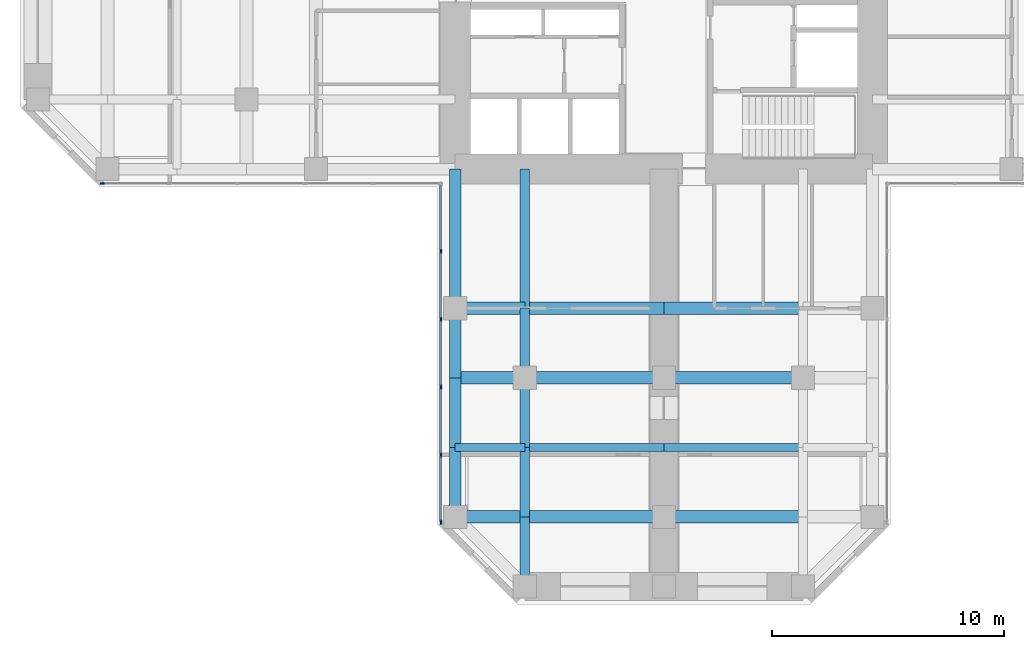
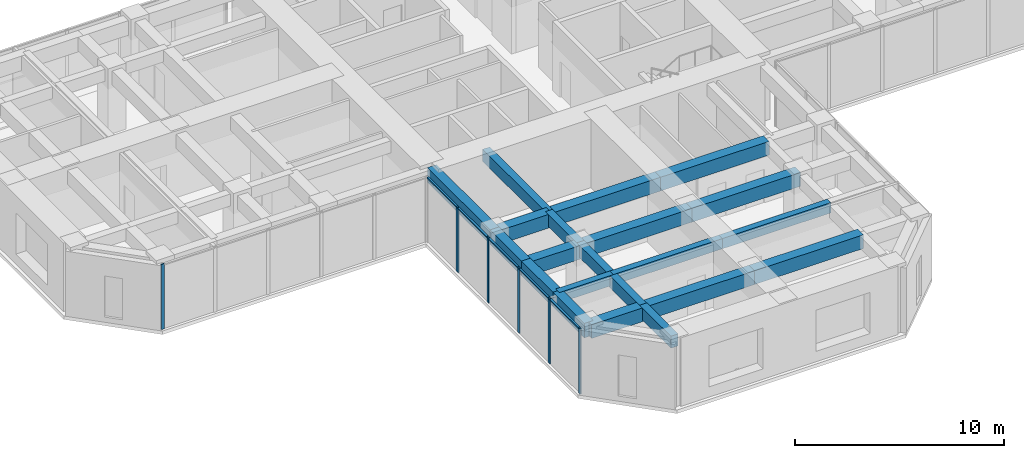
# One storey, part 2 of 13: 21 beams, 11 members, 2 elements without a shape of their own.
"""IFC4 building model written with IfcOpenShell, lengths in metres."""

from ifc_helpers import new_model, si_unit, direction, frame, origin, origin_2d, place, context, subcontext, project, spatial, rectangle, extrude, material, material_profile, profile_set, type_object, element, aggregate, save


model = new_model("IFC4")

# Units and contexts
model_context = context("Model", 3, precision=1e-05, world=origin(), true_north=direction((0.0, 1.0)))
body_context = subcontext(model_context, "Body", "Model", "MODEL_VIEW")
ifc_project = project(units=[si_unit("LENGTHUNIT", "METRE"), si_unit("AREAUNIT", "SQUARE_METRE"), si_unit("VOLUMEUNIT", "CUBIC_METRE"), si_unit("PLANEANGLEUNIT", "RADIAN"), si_unit("MASSUNIT", "GRAM", prefix="KILO")], contexts=[model_context])

# Site, building, storey
site_placement = place(None, origin())
site = spatial("IfcSite", under=ifc_project, at=site_placement, CompositionType="ELEMENT")
building_placement = place(site_placement, origin())
building = spatial("IfcBuilding", under=site, at=building_placement, Name="Torre Cruceta", CompositionType="ELEMENT")
storey_placement = place(building_placement, frame((0.0, 0.0, 128.5)))
storey = spatial("IfcBuildingStorey", under=building, at=storey_placement, Name="L31", CompositionType="ELEMENT", Elevation=128.5)

# Beams
ifc_material_1 = material(Name="Concrete G60 (fck 60 MPa)", Category="concrete")
ifc_material_profile_1 = material_profile(ifc_material_1, rectangle(XDim=0.39990234375, YDim=0.699951171875, at=origin_2d()), Name="RC 400X700")
ifc_profile_set_1 = profile_set([ifc_material_profile_1], Name="Concrete G60 (fck 60 MPa)")
beam_type_1 = type_object("IfcBeamType", Name="COLUMN LINE BEAM RC 400X700", PredefinedType="BEAM", material=ifc_profile_set_1)
beam_1_placement = place(storey_placement, frame((-6.0, -9.0, 3.449951171875), z_axis=(0.0, -1.0, 0.0), x_axis=(1.0, 0.0, 0.0)))
element("IfcBeam", 1, at=beam_1_placement, inside=storey, type_object=beam_type_1, Name="LB5 L31 S col- 1", PredefinedType="BEAM", context=body_context, shape_type="SweptSolid", body=[
    extrude(rectangle(XDim=0.39990234375, YDim=0.699951171875, at=origin_2d()), origin(), (0.0, 0.0, 1.0), 6.0),
])
for number, where, z_axis, x_axis, name in (
    (2, (-6.0, -15.0, 3.449951171875), (0.0, -1.0, 0.0), (1.0, 0.0, 0.0), "LB5 L31 S col- 2"),
    (3, (-6.0, -18.0, 3.449951171875), (0.0, -1.0, 0.0), (1.0, 0.0, 0.0), "LB5 L31 S col- 3"),
    (4, (-6.0, -21.0, 3.449951171875), (0.0, -1.0, 0.0), (1.0, 0.0, 0.0), "LB5 L31 S col- 4"),
    (5, (-6.0, -24.0, 3.449951171875), (0.0, -1.0, 0.0), (1.0, 0.0, 0.0), "LB5 L31 S col- 5"),
):
    element("IfcBeam", number, at=place(storey_placement, frame(where, z_axis=z_axis, x_axis=x_axis)), inside=storey, type_object=beam_type_1, Name=name, PredefinedType="BEAM", context=body_context, shape_type="SweptSolid", body=[
        extrude(rectangle(XDim=0.39990234375, YDim=0.699951171875, at=origin_2d()), origin(), (0.0, 0.0, 1.0), 3.0),
    ])
ifc_material_2 = material(Name="Concrete G60 (fck 60 MPa)", Category="concrete")
ifc_material_profile_2 = material_profile(ifc_material_2, rectangle(XDim=0.550048828125, YDim=0.800048828125, at=origin_2d()), Name="RC 550X800")
ifc_profile_set_2 = profile_set([ifc_material_profile_2], Name="Concrete G60 (fck 60 MPa)")
beam_type_2 = type_object("IfcBeamType", Name="CROSS BEAM RC 550X800", PredefinedType="BEAM", material=ifc_profile_set_2)
beam_2_placement = place(storey_placement, frame((-9.0, -15.0, 3.39990234375), z_axis=(1.0, 0.0, 0.0), x_axis=(0.0, 1.0, 0.0)))
element("IfcBeam", 6, at=beam_2_placement, inside=storey, type_object=beam_type_2, Name="GB5 L31 S cross15 1", PredefinedType="BEAM", context=body_context, shape_type="SweptSolid", body=[
    extrude(rectangle(XDim=0.550048828125, YDim=0.800048828125, at=origin_2d()), origin(), (0.0, 0.0, 1.0), 3.0),
])
for number, where, z_axis, x_axis, name in (
    (7, (-6.0, -15.0, 3.39990234375), (1.0, 0.0, 0.0), (0.0, 1.0, 0.0), "GB5 L31 S cross15 2"),
    (8, (0.0, -15.0, 3.39990234375), (1.0, 0.0, 0.0), (0.0, 1.0, 0.0), "GB5 L31 S cross15 3"),
):
    element("IfcBeam", number, at=place(storey_placement, frame(where, z_axis=z_axis, x_axis=x_axis)), inside=storey, type_object=beam_type_2, Name=name, PredefinedType="BEAM", context=body_context, shape_type="SweptSolid", body=[
        extrude(rectangle(XDim=0.550048828125, YDim=0.800048828125, at=origin_2d()), origin(), (0.0, 0.0, 1.0), 6.0),
    ])
beam_3_placement = place(storey_placement, frame((-9.0, -18.0, 3.39990234375), z_axis=(1.0, 0.0, 0.0), x_axis=(0.0, 1.0, 0.0)))
element("IfcBeam", 9, at=beam_3_placement, inside=storey, type_object=beam_type_2, Name="GB5 L31 S cross18 1", PredefinedType="BEAM", context=body_context, shape_type="SweptSolid", body=[
    extrude(rectangle(XDim=0.550048828125, YDim=0.800048828125, at=origin_2d()), origin(), (0.0, 0.0, 1.0), 3.0),
])
for number, where, z_axis, x_axis, name in (
    (10, (-6.0, -18.0, 3.39990234375), (1.0, 0.0, 0.0), (0.0, 1.0, 0.0), "GB5 L31 S cross18 2"),
    (11, (0.0, -18.0, 3.39990234375), (1.0, 0.0, 0.0), (0.0, 1.0, 0.0), "GB5 L31 S cross18 3"),
):
    element("IfcBeam", number, at=place(storey_placement, frame(where, z_axis=z_axis, x_axis=x_axis)), inside=storey, type_object=beam_type_2, Name=name, PredefinedType="BEAM", context=body_context, shape_type="SweptSolid", body=[
        extrude(rectangle(XDim=0.550048828125, YDim=0.800048828125, at=origin_2d()), origin(), (0.0, 0.0, 1.0), 6.0),
    ])
beam_4_placement = place(storey_placement, frame((-9.0, -24.0, 3.39990234375), z_axis=(1.0, 0.0, 0.0), x_axis=(0.0, 1.0, 0.0)))
element("IfcBeam", 12, at=beam_4_placement, inside=storey, type_object=beam_type_2, Name="GB5 L31 S cross24 1", PredefinedType="BEAM", context=body_context, shape_type="SweptSolid", body=[
    extrude(rectangle(XDim=0.550048828125, YDim=0.800048828125, at=origin_2d()), origin(), (0.0, 0.0, 1.0), 3.0),
])
for number, where, z_axis, x_axis, name in (
    (13, (-6.0, -24.0, 3.39990234375), (1.0, 0.0, 0.0), (0.0, 1.0, 0.0), "GB5 L31 S cross24 2"),
    (14, (0.0, -24.0, 3.39990234375), (1.0, 0.0, 0.0), (0.0, 1.0, 0.0), "GB5 L31 S cross24 3"),
):
    element("IfcBeam", number, at=place(storey_placement, frame(where, z_axis=z_axis, x_axis=x_axis)), inside=storey, type_object=beam_type_2, Name=name, PredefinedType="BEAM", context=body_context, shape_type="SweptSolid", body=[
        extrude(rectangle(XDim=0.550048828125, YDim=0.800048828125, at=origin_2d()), origin(), (0.0, 0.0, 1.0), 6.0),
    ])

# Curtain wall, member
ifc_material_3 = material(Name="Aluminium unitised curtain wall", Category="aluminium")
curtain_wall_type = type_object("IfcCurtainWallType", Name="CURTAIN WALL CW-B OFFICE MID RISE", PredefinedType="USERDEFINED", material=ifc_material_3)
curtain_wall_1_placement = place(storey_placement, origin())
curtain_wall_1 = element("IfcCurtainWall", 15, at=curtain_wall_1_placement, inside=storey, type_object=curtain_wall_type, Name="CW-B L31 W side 14", ObjectType="UNITISED", PredefinedType="USERDEFINED")
ifc_material_4 = material(Name="Aluminium mullion", Category="aluminium")
ifc_material_profile_3 = material_profile(ifc_material_4, rectangle(XDim=0.06494140625, YDim=0.179931640625, at=origin_2d()), Name="AL 65X180")
ifc_profile_set_3 = profile_set([ifc_material_profile_3], Name="Aluminium mullion")
member_type_1 = type_object("IfcMemberType", Name="CW-B MULLION 65X180", PredefinedType="MULLION", material=ifc_profile_set_3)
member_1_placement = place(storey_placement, frame((-24.224365234375, -9.6201171875, 0.0), z_axis=(0.0, 0.0, 1.0), x_axis=(0.0, 1.0, 0.0)))
member_1 = element("IfcMember", 16, at=member_1_placement, type_object=member_type_1, Name="CW-B mullion 1", PredefinedType="MULLION", context=body_context, shape_type="SweptSolid", body=[
    extrude(rectangle(XDim=0.06494140625, YDim=0.179931640625, at=origin_2d()), origin(), (0.0, 0.0, 1.0), 3.800048828125),
])
aggregate(curtain_wall_1, [member_1])

# Curtain wall, members
curtain_wall_2_placement = place(storey_placement, origin())
curtain_wall_2 = element("IfcCurtainWall", 17, at=curtain_wall_2_placement, inside=storey, type_object=curtain_wall_type, Name="CW-B L31 S side 15", ObjectType="UNITISED", PredefinedType="USERDEFINED")
member_2_placement = place(storey_placement, frame((-9.6201171875, -12.54736328125, 0.0), z_axis=(0.0, 0.0, 1.0), x_axis=(1.0, 0.0, 0.0)))
member_2 = element("IfcMember", 18, at=member_2_placement, type_object=member_type_1, Name="CW-B mullion 2", PredefinedType="MULLION", context=body_context, shape_type="SweptSolid", body=[
    extrude(rectangle(XDim=0.06494140625, YDim=0.179931640625, at=origin_2d()), origin(), (0.0, 0.0, 1.0), 3.800048828125),
])
member_3_placement = place(storey_placement, frame((-9.6201171875, -15.474609375, 0.0), z_axis=(0.0, 0.0, 1.0), x_axis=(1.0, 0.0, 0.0)))
member_3 = element("IfcMember", 19, at=member_3_placement, type_object=member_type_1, Name="CW-B mullion 3", PredefinedType="MULLION", context=body_context, shape_type="SweptSolid", body=[
    extrude(rectangle(XDim=0.06494140625, YDim=0.179931640625, at=origin_2d()), origin(), (0.0, 0.0, 1.0), 3.800048828125),
])
member_4_placement = place(storey_placement, frame((-9.6201171875, -18.402099609375, 0.0), z_axis=(0.0, 0.0, 1.0), x_axis=(1.0, 0.0, 0.0)))
member_4 = element("IfcMember", 20, at=member_4_placement, type_object=member_type_1, Name="CW-B mullion 4", PredefinedType="MULLION", context=body_context, shape_type="SweptSolid", body=[
    extrude(rectangle(XDim=0.06494140625, YDim=0.179931640625, at=origin_2d()), origin(), (0.0, 0.0, 1.0), 3.800048828125),
])
member_5_placement = place(storey_placement, frame((-9.6201171875, -21.329345703125, 0.0), z_axis=(0.0, 0.0, 1.0), x_axis=(1.0, 0.0, 0.0)))
member_5 = element("IfcMember", 21, at=member_5_placement, type_object=member_type_1, Name="CW-B mullion 5", PredefinedType="MULLION", context=body_context, shape_type="SweptSolid", body=[
    extrude(rectangle(XDim=0.06494140625, YDim=0.179931640625, at=origin_2d()), origin(), (0.0, 0.0, 1.0), 3.800048828125),
])
member_6_placement = place(storey_placement, frame((-9.6201171875, -24.224365234375, 0.0), z_axis=(0.0, 0.0, 1.0), x_axis=(1.0, 0.0, 0.0)))
member_6 = element("IfcMember", 22, at=member_6_placement, type_object=member_type_1, Name="CW-B mullion 6", PredefinedType="MULLION", context=body_context, shape_type="SweptSolid", body=[
    extrude(rectangle(XDim=0.06494140625, YDim=0.179931640625, at=origin_2d()), origin(), (0.0, 0.0, 1.0), 3.800048828125),
])
ifc_material_5 = material(Name="Aluminium transom", Category="aluminium")
ifc_material_profile_4 = material_profile(ifc_material_5, rectangle(XDim=0.110107421875, YDim=0.06494140625, at=origin_2d()), Name="AL 110X65")
ifc_profile_set_4 = profile_set([ifc_material_profile_4], Name="Aluminium transom")
member_type_2 = type_object("IfcMemberType", Name="CW-B TRANSOM 65X110", PredefinedType="USERDEFINED", material=ifc_profile_set_4)
member_7_placement = place(storey_placement, frame((-9.6201171875, -9.68505859375, 3.767578125), z_axis=(0.0, -1.0, 0.0), x_axis=(1.0, 0.0, 0.0)))
member_7 = element("IfcMember", 23, at=member_7_placement, type_object=member_type_2, Name="CW-B transom 1", ObjectType="TRANSOM", PredefinedType="USERDEFINED", context=body_context, shape_type="SweptSolid", body=[
    extrude(rectangle(XDim=0.110107421875, YDim=0.06494140625, at=origin_2d()), origin(), (0.0, 0.0, 1.0), 2.829833984375),
])
member_8_placement = place(storey_placement, frame((-9.6201171875, -12.579833984375, 3.767578125), z_axis=(0.0, -1.0, 0.0), x_axis=(1.0, 0.0, 0.0)))
member_8 = element("IfcMember", 24, at=member_8_placement, type_object=member_type_2, Name="CW-B transom 2", ObjectType="TRANSOM", PredefinedType="USERDEFINED", context=body_context, shape_type="SweptSolid", body=[
    extrude(rectangle(XDim=0.110107421875, YDim=0.06494140625, at=origin_2d()), origin(), (0.0, 0.0, 1.0), 2.8623046875),
])
member_9_placement = place(storey_placement, frame((-9.6201171875, -15.50732421875, 3.767578125), z_axis=(0.0, -1.0, 0.0), x_axis=(1.0, 0.0, 0.0)))
member_9 = element("IfcMember", 25, at=member_9_placement, type_object=member_type_2, Name="CW-B transom 3", ObjectType="TRANSOM", PredefinedType="USERDEFINED", context=body_context, shape_type="SweptSolid", body=[
    extrude(rectangle(XDim=0.110107421875, YDim=0.06494140625, at=origin_2d()), origin(), (0.0, 0.0, 1.0), 2.8623046875),
])
member_10_placement = place(storey_placement, frame((-9.6201171875, -18.4345703125, 3.767578125), z_axis=(0.0, -1.0, 0.0), x_axis=(1.0, 0.0, 0.0)))
member_10 = element("IfcMember", 26, at=member_10_placement, type_object=member_type_2, Name="CW-B transom 4", ObjectType="TRANSOM", PredefinedType="USERDEFINED", context=body_context, shape_type="SweptSolid", body=[
    extrude(rectangle(XDim=0.110107421875, YDim=0.06494140625, at=origin_2d()), origin(), (0.0, 0.0, 1.0), 2.8623046875),
])
member_11_placement = place(storey_placement, frame((-9.6201171875, -21.362060546875, 3.767578125), z_axis=(0.0, -1.0, 0.0), x_axis=(1.0, 0.0, 0.0)))
member_11 = element("IfcMember", 27, at=member_11_placement, type_object=member_type_2, Name="CW-B transom 5", ObjectType="TRANSOM", PredefinedType="USERDEFINED", context=body_context, shape_type="SweptSolid", body=[
    extrude(rectangle(XDim=0.110107421875, YDim=0.06494140625, at=origin_2d()), origin(), (0.0, 0.0, 1.0), 2.829833984375),
])
aggregate(curtain_wall_2, [member_2, member_3, member_4, member_5, member_6, member_7, member_8, member_9, member_10, member_11])

# Beams
ifc_material_6 = material(Name="Concrete G60 (fck 60 MPa)", Category="concrete")
ifc_material_profile_5 = material_profile(ifc_material_6, rectangle(XDim=0.35009765625, YDim=0.60009765625, at=origin_2d()), Name="RC 350X600")
ifc_profile_set_5 = profile_set([ifc_material_profile_5], Name="Concrete G60 (fck 60 MPa)")
beam_type_3 = type_object("IfcBeamType", Name="SECONDARY BEAM RC 350X600", PredefinedType="JOIST", material=ifc_profile_set_5)
beam_5_placement = place(storey_placement, frame((-9.0, -21.0, 3.5), z_axis=(1.0, 0.0, 0.0), x_axis=(0.0, 1.0, 0.0)))
element("IfcBeam", 28, at=beam_5_placement, inside=storey, type_object=beam_type_3, Name="JB5 L31 S sec21 1", PredefinedType="JOIST", context=body_context, shape_type="SweptSolid", body=[
    extrude(rectangle(XDim=0.35009765625, YDim=0.60009765625, at=origin_2d()), origin(), (0.0, 0.0, 1.0), 3.0),
])
for number, where, z_axis, x_axis, name in (
    (29, (-6.0, -21.0, 3.5), (1.0, 0.0, 0.0), (0.0, 1.0, 0.0), "JB5 L31 S sec21 2"),
    (30, (0.0, -21.0, 3.5), (1.0, 0.0, 0.0), (0.0, 1.0, 0.0), "JB5 L31 S sec21 3"),
):
    element("IfcBeam", number, at=place(storey_placement, frame(where, z_axis=z_axis, x_axis=x_axis)), inside=storey, type_object=beam_type_3, Name=name, PredefinedType="JOIST", context=body_context, shape_type="SweptSolid", body=[
        extrude(rectangle(XDim=0.35009765625, YDim=0.60009765625, at=origin_2d()), origin(), (0.0, 0.0, 1.0), 6.0),
    ])
ifc_material_7 = material(Name="Concrete G60 (fck 60 MPa)", Category="concrete")
ifc_material_profile_6 = material_profile(ifc_material_7, rectangle(XDim=0.5, YDim=0.85009765625, at=origin_2d()), Name="RC 500X850")
ifc_profile_set_6 = profile_set([ifc_material_profile_6], Name="Concrete G60 (fck 60 MPa)")
beam_type_4 = type_object("IfcBeamType", Name="SPANDREL BEAM RC 500X850", PredefinedType="SPANDREL", material=ifc_profile_set_6)
beam_6_placement = place(storey_placement, frame((-9.0, -9.0, 3.375), z_axis=(0.0, -1.0, 0.0), x_axis=(1.0, 0.0, 0.0)))
element("IfcBeam", 31, at=beam_6_placement, inside=storey, type_object=beam_type_4, Name="SB5 L31 S side- 1", PredefinedType="SPANDREL", context=body_context, shape_type="SweptSolid", body=[
    extrude(rectangle(XDim=0.5, YDim=0.85009765625, at=origin_2d()), origin(), (0.0, 0.0, 1.0), 6.0),
])
for number, where, z_axis, x_axis, name in (
    (32, (-9.0, -15.0, 3.375), (0.0, -1.0, 0.0), (1.0, 0.0, 0.0), "SB5 L31 S side- 2"),
    (33, (-9.0, -18.0, 3.375), (0.0, -1.0, 0.0), (1.0, 0.0, 0.0), "SB5 L31 S side- 3"),
    (34, (-9.0, -21.0, 3.375), (0.0, -1.0, 0.0), (1.0, 0.0, 0.0), "SB5 L31 S side- 4"),
):
    element("IfcBeam", number, at=place(storey_placement, frame(where, z_axis=z_axis, x_axis=x_axis)), inside=storey, type_object=beam_type_4, Name=name, PredefinedType="SPANDREL", context=body_context, shape_type="SweptSolid", body=[
        extrude(rectangle(XDim=0.5, YDim=0.85009765625, at=origin_2d()), origin(), (0.0, 0.0, 1.0), 3.0),
    ])

save(model, "model.ifc")
